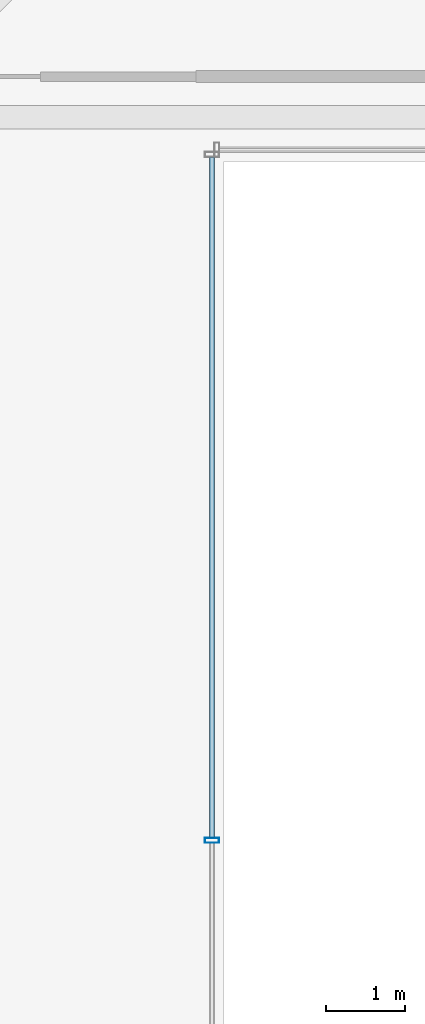
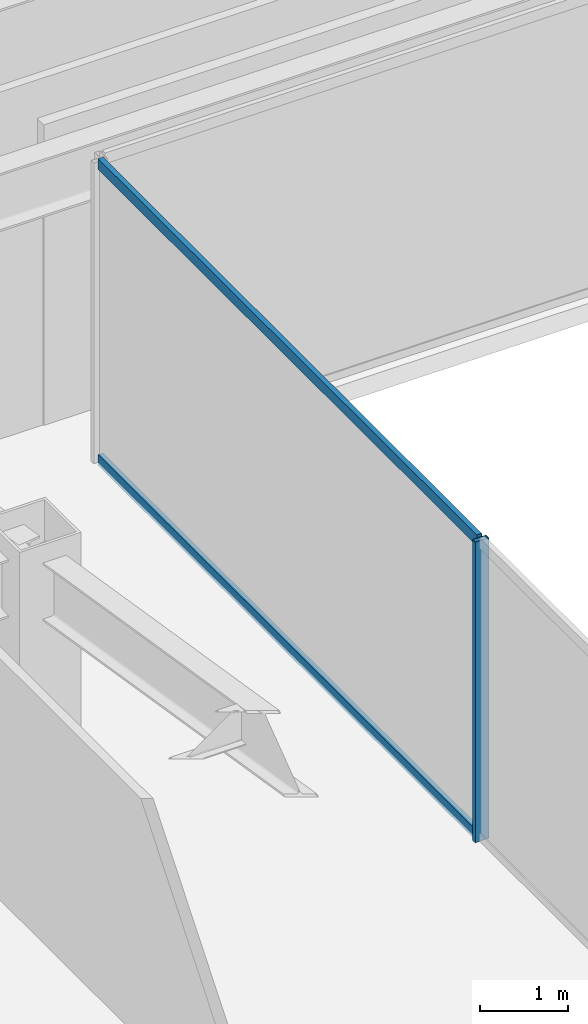
# One storey, part 14 of 47: 3 members, 1 element without a shape of its own.
"""IFC4 building model written with IfcOpenShell, lengths in metres."""

from ifc_helpers import new_model, si_unit, direction, frame, origin, origin_2d, place, context, subcontext, project, spatial, hollow_rectangle, extrude, material, material_profile, profile_set, type_object, element, aggregate, save


model = new_model("IFC4")

# Units and contexts
model_context = context("Model", 3, precision=1e-05, world=origin(), true_north=direction((0.0, 1.0)))
body_context = subcontext(model_context, "Body", "Model", "MODEL_VIEW")
ifc_project = project(units=[si_unit("LENGTHUNIT", "METRE"), si_unit("AREAUNIT", "SQUARE_METRE"), si_unit("VOLUMEUNIT", "CUBIC_METRE"), si_unit("PLANEANGLEUNIT", "RADIAN"), si_unit("MASSUNIT", "GRAM", prefix="KILO")], contexts=[model_context])

# Site, building, storey
site_placement = place(None, origin())
site = spatial("IfcSite", under=ifc_project, at=site_placement, CompositionType="ELEMENT")
building_placement = place(site_placement, origin())
building = spatial("IfcBuilding", under=site, at=building_placement, Name="Saevonmaru Cultural Tower", CompositionType="ELEMENT")
storey_placement = place(building_placement, frame((0.0, 0.0, 42.800048828125)))
storey = spatial("IfcBuildingStorey", under=building, at=storey_placement, Name="L08", CompositionType="ELEMENT", Elevation=42.800048828125)

# Curtain wall, members
ifc_material = material(Name="Satin Bronze Anodised Aluminium", Category="aluminium")
curtain_wall_type = type_object("IfcCurtainWallType", Name="CW-ATR-GLZ", PredefinedType="NOTDEFINED", material=ifc_material)
curtain_wall_placement = place(storey_placement, origin())
curtain_wall = element("IfcCurtainWall", 1, at=curtain_wall_placement, inside=storey, type_object=curtain_wall_type, Name="L08 Vertical Atrium Glazed Smoke Screen 4", PredefinedType="NOTDEFINED")
ifc_material_profile_1 = material_profile(ifc_material, hollow_rectangle(XDim=0.06494140625, YDim=0.179931640625, WallThickness=0.00390625, at=origin_2d()), Name="ALU-MULL-180x65x4")
ifc_profile_set_1 = profile_set([ifc_material_profile_1], Name="Satin Bronze Anodised Aluminium")
member_type_1 = type_object("IfcMemberType", Name="ML-CW-INT-180x65", PredefinedType="MULLION", material=ifc_profile_set_1)
member_1_placement = place(storey_placement, frame((24.050048828125, 29.5400390625, 0.0), z_axis=(0.0, 0.0, 1.0), x_axis=(0.0, -1.0, 0.0)))
member_1 = element("IfcMember", 2, at=member_1_placement, type_object=member_type_1, Name="CW-ATR-L08-4 mullion 2", PredefinedType="MULLION", context=body_context, shape_type="SweptSolid", body=[
    extrude(hollow_rectangle(XDim=0.06494140625, YDim=0.179931640625, WallThickness=0.00390625, at=origin_2d()), origin(), (0.0, 0.0, 1.0), 4.14990234375),
])
ifc_material_profile_2 = material_profile(ifc_material, hollow_rectangle(XDim=0.06494140625, YDim=0.14990234375, WallThickness=0.00390625, at=origin_2d()), Name="ALU-TRAN-150x65x4")
ifc_profile_set_2 = profile_set([ifc_material_profile_2], Name="Satin Bronze Anodised Aluminium")
member_type_2 = type_object("IfcMemberType", Name="TR-CW-INT-150x65", PredefinedType="USERDEFINED", material=ifc_profile_set_2)
member_2_placement = place(storey_placement, frame((24.050048828125, 38.137451171875, 0.032470703125), z_axis=(0.0, -1.0, 0.0), x_axis=(1.0, 0.0, 0.0)))
member_2 = element("IfcMember", 3, at=member_2_placement, type_object=member_type_2, Name="CW-ATR-L08-4 transom 1.1", ObjectType="TRANSOM", PredefinedType="USERDEFINED", context=body_context, shape_type="SweptSolid", body=[
    extrude(hollow_rectangle(XDim=0.06494140625, YDim=0.14990234375, WallThickness=0.00390625, at=origin_2d()), origin(), (0.0, 0.0, 1.0), 8.56494140625),
])
member_3_placement = place(storey_placement, frame((24.050048828125, 38.137451171875, 4.117431640625), z_axis=(0.0, -1.0, 0.0), x_axis=(1.0, 0.0, 0.0)))
member_3 = element("IfcMember", 4, at=member_3_placement, type_object=member_type_2, Name="CW-ATR-L08-4 transom 1.2", ObjectType="TRANSOM", PredefinedType="USERDEFINED", context=body_context, shape_type="SweptSolid", body=[
    extrude(hollow_rectangle(XDim=0.06494140625, YDim=0.14990234375, WallThickness=0.00390625, at=origin_2d()), origin(), (0.0, 0.0, 1.0), 8.56494140625),
])
aggregate(curtain_wall, [member_1, member_2, member_3])

save(model, "model.ifc")
